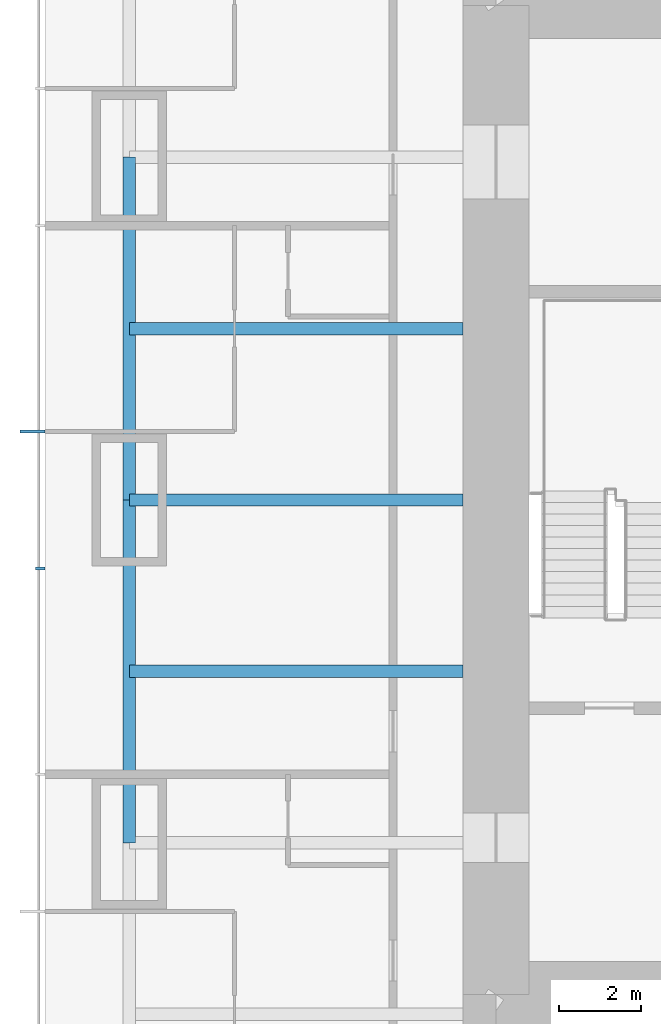
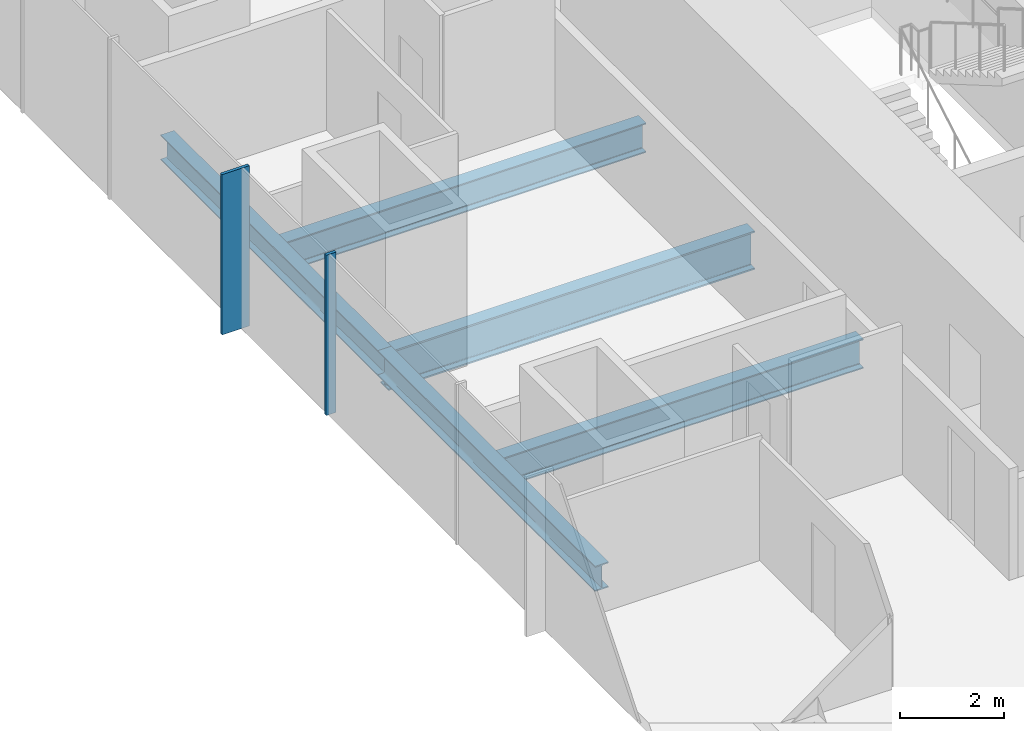
# One storey, part 3 of 12: 5 beams, 2 members, 1 element without a shape of its own.
"""IFC4 building model written with IfcOpenShell, lengths in metres."""

from ifc_helpers import new_model, si_unit, direction, frame, origin, origin_2d, place, context, subcontext, project, spatial, rectangle, i_section, extrude, material, material_profile, profile_set, type_object, element, aggregate, save


model = new_model("IFC4")

# Units and contexts
model_context = context("Model", 3, precision=1e-05, world=origin(), true_north=direction((0.0, 1.0)))
body_context = subcontext(model_context, "Body", "Model", "MODEL_VIEW")
ifc_project = project(units=[si_unit("LENGTHUNIT", "METRE"), si_unit("AREAUNIT", "SQUARE_METRE"), si_unit("VOLUMEUNIT", "CUBIC_METRE"), si_unit("PLANEANGLEUNIT", "RADIAN"), si_unit("MASSUNIT", "GRAM", prefix="KILO")], contexts=[model_context])

# Site, building, storey
site_placement = place(None, origin())
site = spatial("IfcSite", under=ifc_project, at=site_placement, CompositionType="ELEMENT")
building_placement = place(site_placement, origin())
building = spatial("IfcBuilding", under=site, at=building_placement, Name="Khuree Lantern Residences", CompositionType="ELEMENT")
storey_placement = place(building_placement, frame((0.0, 0.0, 207.0)))
storey = spatial("IfcBuildingStorey", under=building, at=storey_placement, Name="L51", CompositionType="ELEMENT", Elevation=207.0)

# Beams
ifc_material_1 = material(Name="Steel S355", Category="steel")
ifc_material_profile_1 = material_profile(ifc_material_1, i_section(OverallWidth=0.300048828125, OverallDepth=0.68994140625, WebThickness=0.014404296875, FlangeThickness=0.027099609375, FilletRadius=0.027099609375, at=origin_2d()), Name="HE 700 A")
ifc_profile_set_1 = profile_set([ifc_material_profile_1], Name="Steel S355")
beam_type_1 = type_object("IfcBeamType", Name="B-31 SECONDARY BEAM HE 700 A", PredefinedType="BEAM", material=ifc_profile_set_1)
for number, where, z_axis, x_axis, name in (
    (1, (-24.39990234375, -4.159912109375, -0.594970703125), (1.0, 0.0, 0.0), (0.0, 1.0, 0.0), "Secondary beam W3"),
    (2, (-24.39990234375, 4.159912109375, -0.594970703125), (1.0, 0.0, 0.0), (0.0, 1.0, 0.0), "Secondary beam W4"),
):
    element("IfcBeam", number, at=place(storey_placement, frame(where, z_axis=z_axis, x_axis=x_axis)), inside=storey, type_object=beam_type_1, Name=name, PredefinedType="BEAM", context=body_context, shape_type="SweptSolid", body=[
        extrude(i_section(OverallWidth=0.300048828125, OverallDepth=0.68994140625, WebThickness=0.014404296875, FlangeThickness=0.027099609375, FilletRadius=0.027099609375, at=origin_2d()), origin(), (0.0, 0.0, 1.0), 8.099853515625),
    ])
ifc_material_profile_2 = material_profile(ifc_material_1, i_section(OverallWidth=0.300048828125, OverallDepth=0.590087890625, WebThickness=0.012939453125, FlangeThickness=0.02490234375, FilletRadius=0.027099609375, at=origin_2d()), Name="HE 600 A")
ifc_profile_set_2 = profile_set([ifc_material_profile_2], Name="Steel S355")
beam_type_2 = type_object("IfcBeamType", Name="E-31 SPANDREL BEAM HE 600 A", PredefinedType="SPANDREL", material=ifc_profile_set_2)
for number, where, z_axis, x_axis, name in (
    (3, (-24.39990234375, -8.320068359375, -0.544921875), (0.0, 1.0, 0.0), (-1.0, 0.0, 0.0), "Spandrel beam W3"),
    (4, (-24.39990234375, 0.0, -0.544921875), (0.0, 1.0, 0.0), (-1.0, 0.0, 0.0), "Spandrel beam W4"),
):
    element("IfcBeam", number, at=place(storey_placement, frame(where, z_axis=z_axis, x_axis=x_axis)), inside=storey, type_object=beam_type_2, Name=name, PredefinedType="SPANDREL", context=body_context, shape_type="SweptSolid", body=[
        extrude(i_section(OverallWidth=0.300048828125, OverallDepth=0.590087890625, WebThickness=0.012939453125, FlangeThickness=0.02490234375, FilletRadius=0.027099609375, at=origin_2d()), origin(), (0.0, 0.0, 1.0), 8.320068359375),
    ])

# Curtain wall, member
ifc_material_2 = material(Name="Bronze anodised aluminium", Category="aluminium")
curtain_wall_type = type_object("IfcCurtainWallType", Name="CW-T1 TOWER FACE CURTAIN WALL", PredefinedType="USERDEFINED", material=ifc_material_2)
curtain_wall_placement = place(storey_placement, origin())
curtain_wall = element("IfcCurtainWall", 5, at=curtain_wall_placement, inside=storey, type_object=curtain_wall_type, Name="L51 WEST FACE CURTAIN WALL", ObjectType="Stick-built curtain wall", PredefinedType="USERDEFINED")
ifc_material_profile_3 = material_profile(ifc_material_2, rectangle(XDim=0.06494140625, YDim=0.60009765625, at=origin_2d()), Name="F1 65X600")
ifc_profile_set_3 = profile_set([ifc_material_profile_3], Name="Bronze anodised aluminium")
member_type_1 = type_object("IfcMemberType", Name="F1 BRONZE FIN MULLION TOWER 65X600", PredefinedType="MULLION", material=ifc_profile_set_3)
member_1_placement = place(storey_placement, frame((-26.75, 1.6640625, 0.0), z_axis=(0.0, 0.0, 1.0), x_axis=(0.0, -1.0, 0.0)))
member_1 = element("IfcMember", 6, at=member_1_placement, type_object=member_type_1, Name="L51 WEST FACE FIN MULLION 37", PredefinedType="MULLION", context=body_context, shape_type="SweptSolid", body=[
    extrude(rectangle(XDim=0.06494140625, YDim=0.60009765625, at=origin_2d()), origin(), (0.0, 0.0, 1.0), 3.75),
])

# Beam
ifc_material_profile_4 = material_profile(ifc_material_1, i_section(OverallWidth=0.300048828125, OverallDepth=0.89990234375, WebThickness=0.0185546875, FlangeThickness=0.034912109375, FilletRadius=0.030029296875, at=origin_2d()), Name="HE 900 B")
ifc_profile_set_4 = profile_set([ifc_material_profile_4], Name="Steel S355")
beam_type_3 = type_object("IfcBeamType", Name="G-31A GIRDER HE 900 B", PredefinedType="BEAM", material=ifc_profile_set_4)
beam_placement = place(storey_placement, frame((-24.39990234375, 0.0, -0.699951171875), z_axis=(1.0, 0.0, 0.0), x_axis=(0.0, 1.0, 0.0)))
element("IfcBeam", 7, at=beam_placement, inside=storey, type_object=beam_type_3, Name="Girder W3", PredefinedType="BEAM", context=body_context, shape_type="SweptSolid", body=[
    extrude(i_section(OverallWidth=0.300048828125, OverallDepth=0.89990234375, WebThickness=0.0185546875, FlangeThickness=0.034912109375, FilletRadius=0.030029296875, at=origin_2d()), origin(), (0.0, 0.0, 1.0), 8.099853515625),
])

# Member
ifc_material_profile_5 = material_profile(ifc_material_2, rectangle(XDim=0.06494140625, YDim=0.219970703125, at=origin_2d()), Name="M1 65X220")
ifc_profile_set_5 = profile_set([ifc_material_profile_5], Name="Bronze anodised aluminium")
member_type_2 = type_object("IfcMemberType", Name="M1 BRONZE MULLION TOWER 65X220", PredefinedType="MULLION", material=ifc_profile_set_5)
member_2_placement = place(storey_placement, frame((-26.56005859375, -1.6640625, 0.0), z_axis=(0.0, 0.0, 1.0), x_axis=(0.0, -1.0, 0.0)))
member_2 = element("IfcMember", 8, at=member_2_placement, type_object=member_type_2, Name="L51 WEST FACE MULLION 38", PredefinedType="MULLION", context=body_context, shape_type="SweptSolid", body=[
    extrude(rectangle(XDim=0.06494140625, YDim=0.219970703125, at=origin_2d()), origin(), (0.0, 0.0, 1.0), 3.75),
])

aggregate(curtain_wall, [member_1, member_2])

save(model, "model.ifc")
